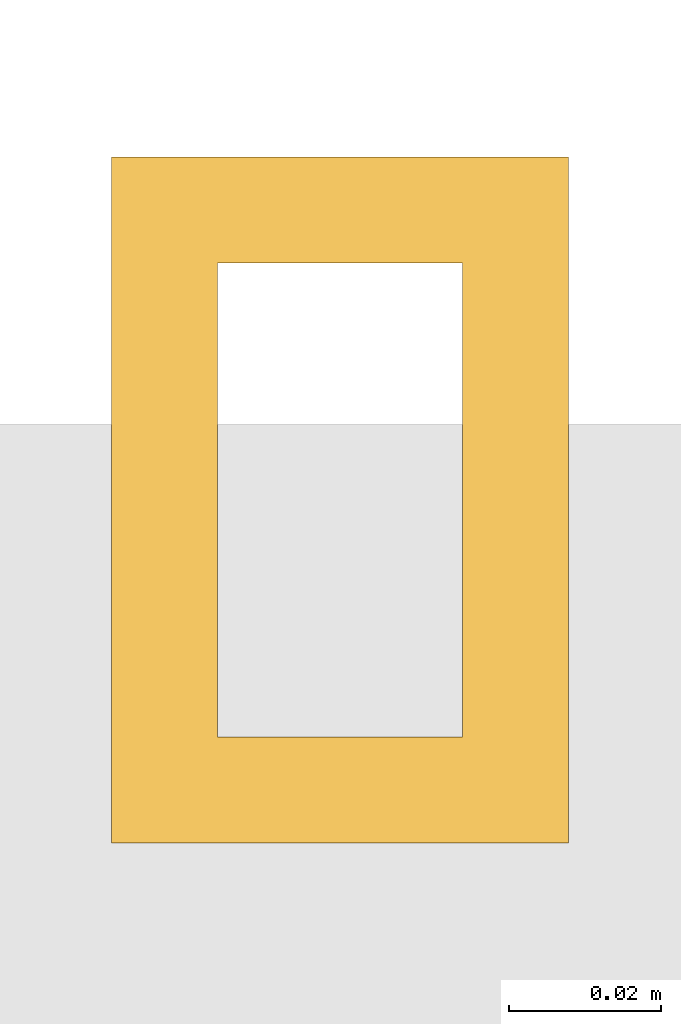
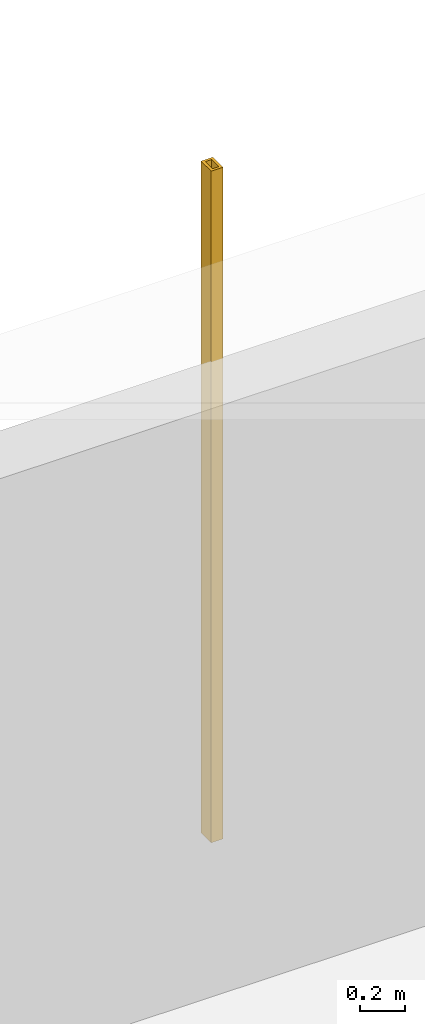
# One storey, part 31 of 33: 1 shading device.
"""IFC4 building model written with IfcOpenShell, lengths in metres."""

from ifc_helpers import new_model, si_unit, direction, frame, origin, origin_2d, place, context, subcontext, project, spatial, hollow_rectangle, extrude, material, material_profile, profile_set, type_object, element, save


model = new_model("IFC4")

# Units and contexts
model_context = context("Model", 3, precision=1e-05, world=origin(), true_north=direction((0.0, 1.0)))
body_context = subcontext(model_context, "Body", "Model", "MODEL_VIEW")
ifc_project = project(units=[si_unit("LENGTHUNIT", "METRE"), si_unit("AREAUNIT", "SQUARE_METRE"), si_unit("VOLUMEUNIT", "CUBIC_METRE"), si_unit("PLANEANGLEUNIT", "RADIAN"), si_unit("MASSUNIT", "GRAM", prefix="KILO")], contexts=[model_context])

# Site, building, storey
site_placement = place(None, origin())
site = spatial("IfcSite", under=ifc_project, at=site_placement, CompositionType="ELEMENT")
building_placement = place(site_placement, origin())
building = spatial("IfcBuilding", under=site, at=building_placement, Name="Punatoya Terracotta Tower", CompositionType="ELEMENT")
storey_placement = place(building_placement, frame((0.0, 0.0, 246.60009765625)))
storey = spatial("IfcBuildingStorey", under=building, at=storey_placement, Name="L58", CompositionType="ELEMENT", Elevation=246.60009765625)

# Shading device
ifc_material = material(Name="Architectural Fired Terracotta", Category="masonry")
ifc_material_profile = material_profile(ifc_material, hollow_rectangle(XDim=0.06005859375, YDim=0.090087890625, WallThickness=0.013916015625, at=origin_2d()))
ifc_profile_set = profile_set([ifc_material_profile], Name="Architectural Fired Terracotta")
shading_device_type = type_object("IfcShadingDeviceType", Name="SHD-JALI-90", PredefinedType="JALOUSIE", material=ifc_profile_set)
shading_device_placement = place(storey_placement, frame((-11.49853515625, 15.0400390625, 0.599853515625), z_axis=(0.0, 0.0, 1.0), x_axis=(1.0, 0.0, 0.0)))
element("IfcShadingDevice", 1, at=shading_device_placement, inside=storey, type_object=shading_device_type, Name="L58 Braced Bay Terracotta Jali Fin N2", PredefinedType="JALOUSIE", context=body_context, shape_type="SweptSolid", body=[
    extrude(hollow_rectangle(XDim=0.06005859375, YDim=0.090087890625, WallThickness=0.013916015625, at=origin_2d()), origin(), (0.0, 0.0, 1.0), 3.6201171875),
])

save(model, "model.ifc")
